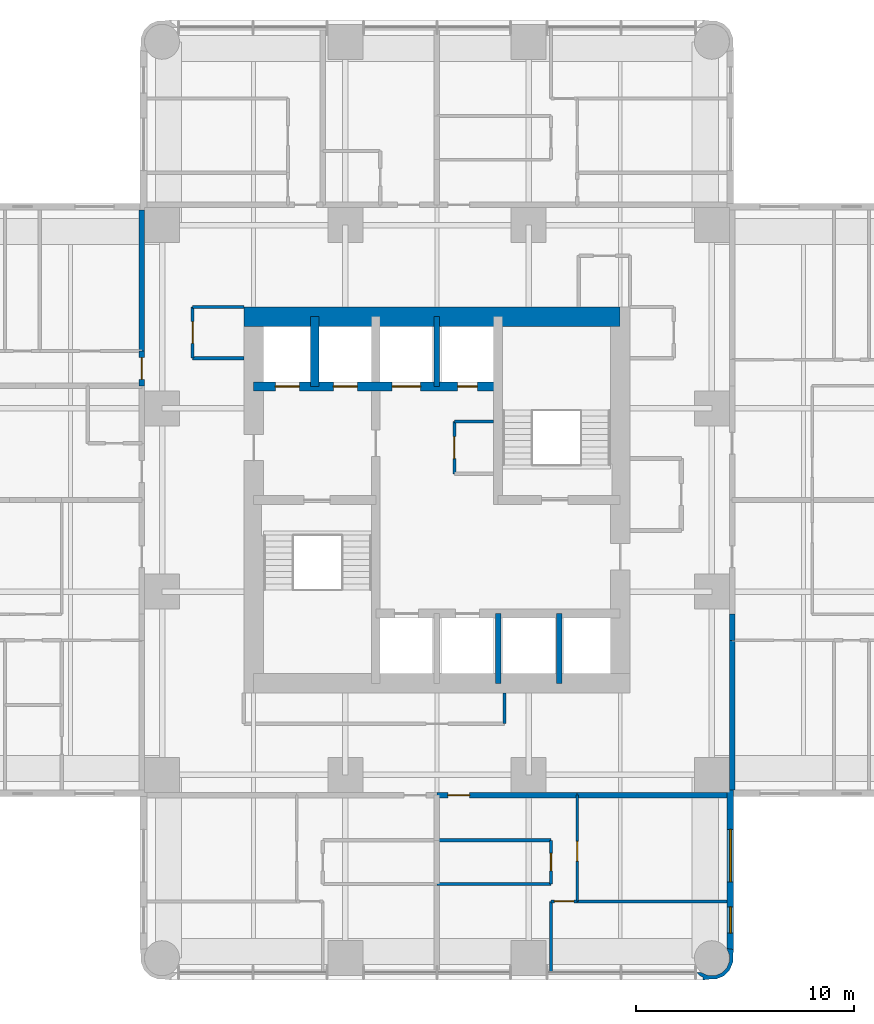
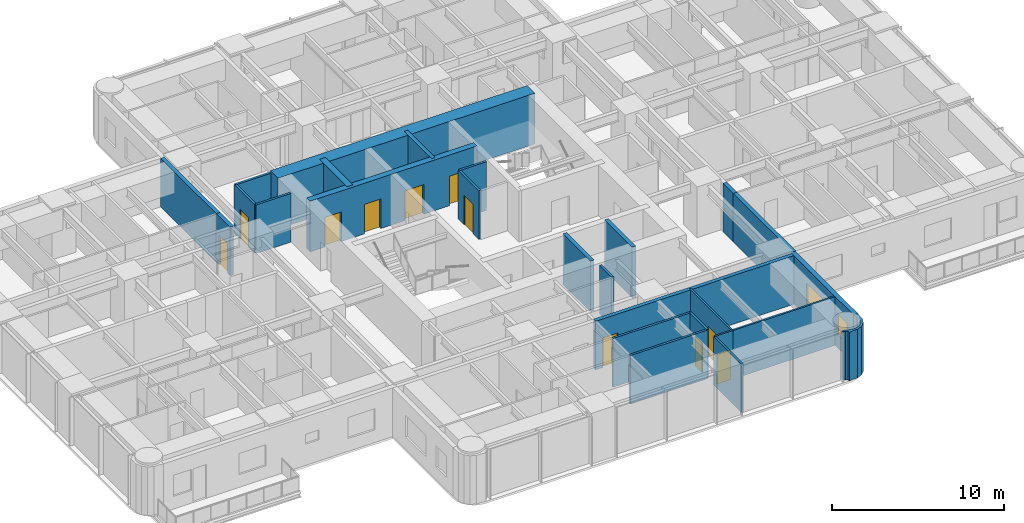
# One storey, part 8 of 14: 27 walls, 11 doors, 2 windows, 13 openings.
"""IFC4 building model written with IfcOpenShell, lengths in metres."""

from ifc_helpers import new_model, si_unit, direction, frame, frame_2d, origin, place, context, subcontext, project, spatial, polyline, rectangle, outline, extrude, material, layer, layer_set, type_object, element, fill, save


model = new_model("IFC4")

# Units and contexts
model_context = context("Model", 3, precision=1e-05, world=origin(), true_north=direction((0.0, 1.0)))
body_context = subcontext(model_context, "Body", "Model", "MODEL_VIEW")
ifc_project = project(units=[si_unit("LENGTHUNIT", "METRE"), si_unit("AREAUNIT", "SQUARE_METRE"), si_unit("VOLUMEUNIT", "CUBIC_METRE"), si_unit("PLANEANGLEUNIT", "RADIAN"), si_unit("MASSUNIT", "GRAM", prefix="KILO")], contexts=[model_context])

# Site, building, storey
site_placement = place(None, origin())
site = spatial("IfcSite", under=ifc_project, at=site_placement, CompositionType="ELEMENT")
building_placement = place(site_placement, origin())
building = spatial("IfcBuilding", under=site, at=building_placement, Name="Torre Alcanfor", CompositionType="ELEMENT")
storey_placement = place(building_placement, frame((0.0, 0.0, 134.10009765625)))
storey = spatial("IfcBuildingStorey", under=building, at=storey_placement, Name="L34", CompositionType="ELEMENT", Elevation=134.10009765625)

# Walls
ifc_material_1 = material(Name="Concrete block masonry, hollow blocks NMX-C-404 9 MPa", Category="masonry")
ifc_layer_1 = layer(ifc_material_1, 0.25)
ifc_layer_set_1 = layer_set([ifc_layer_1], Name="Apartment entrance wall 250 EI 60")
wall_type_1 = type_object("IfcWallType", Name="Apartment entrance wall 250 EI 60", PredefinedType="PARTITIONING", material=ifc_layer_set_1)
wall_1_placement = place(storey_placement, frame((42.925048828125, 24.1708984375, 0.0), z_axis=(0.0, 0.0, 1.0), x_axis=(0.0, -1.0, 0.0)))
element("IfcWall", 1, at=wall_1_placement, inside=storey, type_object=wall_type_1, Name="Partition L34-CORR / L34-E2-HALL", PredefinedType="PARTITIONING", context=body_context, shape_type="SweptSolid", body=[
    extrude(rectangle(XDim=1.199951171875, YDim=0.25, at=frame_2d((0.60009765625, 0.0))), origin(), (0.0, 0.0, 1.0), 3.449951171875),
])
wall_2_placement = place(storey_placement, frame((42.925048828125, 22.970947265625, 0.0), z_axis=(0.0, 0.0, 1.0), x_axis=(0.0, -1.0, 0.0)))
element("IfcWall", 2, at=wall_2_placement, inside=storey, type_object=wall_type_1, Name="Partition L34-CORR / L34-E2-BED3", PredefinedType="PARTITIONING", context=body_context, shape_type="SweptSolid", body=[
    extrude(rectangle(XDim=6.870849609375, YDim=0.25, at=frame_2d((3.435546875, 0.0))), origin(), (0.0, 0.0, 1.0), 3.449951171875),
])

# Wall, opening, door
wall_3_placement = place(storey_placement, frame((35.8291015625, 15.875, 0.0), z_axis=(0.0, 0.0, 1.0), x_axis=(-1.0, 0.0, 0.0)))
wall_3 = element("IfcWall", 3, at=wall_3_placement, inside=storey, type_object=wall_type_1, Name="Partition L34-CORR / L34-S1-LIVING", PredefinedType="PARTITIONING", context=body_context, shape_type="SweptSolid", body=[
    extrude(rectangle(XDim=6.42919921875, YDim=0.25, at=frame_2d((3.214599609375, 0.0))), origin(), (0.0, 0.0, 1.0), 3.449951171875),
])
opening_1_placement = place(wall_3_placement, frame((4.928955078125, 0.0, 0.0)))
opening_1 = element("IfcOpeningElement", 4, at=opening_1_placement, cuts=wall_3, Name="Opening D-A1", PredefinedType="OPENING", context=body_context, shape_type="SweptSolid", body=[
    extrude(rectangle(XDim=1.0, YDim=2.10009765625, at=frame_2d((0.5, 1.050048828125))), frame((0.0, 0.135009765625, 0.0), z_axis=(0.0, -1.0, 0.0), x_axis=(1.0, 0.0, 0.0)), (0.0, 0.0, 1.0), 0.27001953125),
])
ifc_material_2 = material(Name="Galvanised steel sheet ASTM A653", Category="steel")
door_type_1 = type_object("IfcDoorType", Name="Apartment entrance door FD60 1000x2100", OperationType="SINGLE_SWING_LEFT", PredefinedType="DOOR", material=ifc_material_2)
door_1_placement = place(opening_1_placement, origin())
door_1 = element("IfcDoor", 5, at=door_1_placement, inside=storey, type_object=door_type_1, Name="Apartment entrance L34-S1", OperationType="SINGLE_SWING_RIGHT", OverallHeight=2.10009765625, OverallWidth=1.0, PredefinedType="DOOR", context=body_context, shape_type="SweptSolid", body=[
    extrude(rectangle(XDim=1.0, YDim=2.10009765625, at=frame_2d((0.5, 1.050048828125))), frame((0.0, 0.02490234375, 0.0), z_axis=(0.0, -1.0, 0.0), x_axis=(1.0, 0.0, 0.0)), (0.0, 0.0, 1.0), 0.050048828125),
])
fill(opening_1, door_1)

# Wall
wall_4_placement = place(storey_placement, frame((42.699951171875, 15.875, 0.0), z_axis=(0.0, 0.0, 1.0), x_axis=(-1.0, 0.0, 0.0)))
element("IfcWall", 6, at=wall_4_placement, inside=storey, type_object=wall_type_1, Name="Partition L34-CORR / L34-S1-BED2", PredefinedType="PARTITIONING", context=body_context, shape_type="SweptSolid", body=[
    extrude(rectangle(XDim=6.870849609375, YDim=0.25, at=frame_2d((3.435546875, 0.0))), origin(), (0.0, 0.0, 1.0), 3.449951171875),
])

# Wall, opening, door
wall_5_placement = place(storey_placement, frame((15.875, 34.62890625, 0.0), z_axis=(0.0, 0.0, 1.0), x_axis=(0.0, 1.0, 0.0)))
wall_5 = element("IfcWall", 7, at=wall_5_placement, inside=storey, type_object=wall_type_1, Name="Partition L34-CORR / L34-W2B-HALL", PredefinedType="PARTITIONING", context=body_context, shape_type="SweptSolid", body=[
    extrude(rectangle(XDim=1.60009765625, YDim=0.25, at=frame_2d((0.800048828125, 0.0))), origin(), (0.0, 0.0, 1.0), 3.449951171875),
])
opening_2_placement = place(wall_5_placement, frame((0.300048828125, 0.0, 0.0)))
opening_2 = element("IfcOpeningElement", 8, at=opening_2_placement, cuts=wall_5, Name="Opening D-A1", PredefinedType="OPENING", context=body_context, shape_type="SweptSolid", body=[
    extrude(rectangle(XDim=1.0, YDim=2.10009765625, at=frame_2d((0.5, 1.050048828125))), frame((0.0, 0.135009765625, 0.0), z_axis=(0.0, -1.0, 0.0), x_axis=(1.0, 0.0, 0.0)), (0.0, 0.0, 1.0), 0.27001953125),
])
door_2_placement = place(opening_2_placement, origin())
door_2 = element("IfcDoor", 9, at=door_2_placement, inside=storey, type_object=door_type_1, Name="Apartment entrance L34-W2B", OperationType="SINGLE_SWING_LEFT", OverallHeight=2.10009765625, OverallWidth=1.0, PredefinedType="DOOR", context=body_context, shape_type="SweptSolid", body=[
    extrude(rectangle(XDim=1.0, YDim=2.10009765625, at=frame_2d((0.5, 1.050048828125))), frame((0.0, 0.02490234375, 0.0), z_axis=(0.0, -1.0, 0.0), x_axis=(1.0, 0.0, 0.0)), (0.0, 0.0, 1.0), 0.050048828125),
])
fill(opening_2, door_2)

# Wall
wall_6_placement = place(storey_placement, frame((15.875, 36.22900390625, 0.0), z_axis=(0.0, 0.0, 1.0), x_axis=(0.0, 1.0, 0.0)))
element("IfcWall", 10, at=wall_6_placement, inside=storey, type_object=wall_type_1, Name="Partition L34-CORR / L34-W2B-MASTER", PredefinedType="PARTITIONING", context=body_context, shape_type="SweptSolid", body=[
    extrude(rectangle(XDim=6.470947265625, YDim=0.25, at=frame_2d((3.2353515625, 0.0))), origin(), (0.0, 0.0, 1.0), 3.449951171875),
])

# Wall, opening, door
ifc_material_3 = material(Name="Gypsum board on steel studs", Category="steel")
ifc_layer_2 = layer(ifc_material_3, 0.1201171875)
ifc_layer_set_2 = layer_set([ifc_layer_2], Name="Apartment partition 120")
wall_type_2 = type_object("IfcWallType", Name="Apartment partition 120", PredefinedType="PARTITIONING", material=ifc_layer_set_2)
wall_7_placement = place(storey_placement, frame((35.8291015625, 15.875, 0.0), z_axis=(0.0, 0.0, 1.0), x_axis=(0.0, -1.0, 0.0)))
wall_7 = element("IfcWall", 11, at=wall_7_placement, inside=storey, type_object=wall_type_2, Name="Partition L34-S1-LIVING / L34-S1-BED2", PredefinedType="PARTITIONING", context=body_context, shape_type="SweptSolid", body=[
    extrude(rectangle(XDim=4.875, YDim=0.1201171875, at=frame_2d((2.4375, 0.0))), origin(), (0.0, 0.0, 1.0), 3.449951171875),
])
opening_3_placement = place(wall_7_placement, frame((2.125, 0.0, 0.0)))
opening_3 = element("IfcOpeningElement", 12, at=opening_3_placement, cuts=wall_7, Name="Opening D-R1", PredefinedType="OPENING", context=body_context, shape_type="SweptSolid", body=[
    extrude(rectangle(XDim=0.89990234375, YDim=2.10009765625, at=frame_2d((0.449951171875, 1.050048828125))), frame((0.0, 0.070068359375, 0.0), z_axis=(0.0, -1.0, 0.0), x_axis=(1.0, 0.0, 0.0)), (0.0, 0.0, 1.0), 0.14013671875),
])
ifc_material_4 = material(Name="Timber", Category="wood")
door_type_2 = type_object("IfcDoorType", Name="Internal door 900x2100", OperationType="SINGLE_SWING_LEFT", PredefinedType="DOOR", material=ifc_material_4)
door_3_placement = place(opening_3_placement, origin())
door_3 = element("IfcDoor", 13, at=door_3_placement, inside=storey, type_object=door_type_2, Name="Door L34-S1 bed2", OperationType="SINGLE_SWING_RIGHT", OverallHeight=2.10009765625, OverallWidth=0.89990234375, PredefinedType="DOOR", context=body_context, shape_type="SweptSolid", body=[
    extrude(rectangle(XDim=0.89990234375, YDim=2.10009765625, at=frame_2d((0.449951171875, 1.050048828125))), frame((0.0, 0.02490234375, 0.0), z_axis=(0.0, -1.0, 0.0), x_axis=(1.0, 0.0, 0.0)), (0.0, 0.0, 1.0), 0.050048828125),
])
fill(opening_3, door_3)

wall_8_placement = place(storey_placement, frame((35.8291015625, 11.0, 0.0), z_axis=(0.0, 0.0, 1.0), x_axis=(-1.0, 0.0, 0.0)))
wall_8 = element("IfcWall", 14, at=wall_8_placement, inside=storey, type_object=wall_type_2, Name="Partition L34-S1-LIVING / L34-S1-MASTER", PredefinedType="PARTITIONING", context=body_context, shape_type="SweptSolid", body=[
    extrude(rectangle(XDim=1.2001953125, YDim=0.1201171875, at=frame_2d((0.60009765625, 0.0))), origin(), (0.0, 0.0, 1.0), 3.449951171875),
])
opening_4_placement = place(wall_8_placement, frame((0.14892578125, 0.0, 0.0)))
opening_4 = element("IfcOpeningElement", 15, at=opening_4_placement, cuts=wall_8, Name="Opening D-R1", PredefinedType="OPENING", context=body_context, shape_type="SweptSolid", body=[
    extrude(rectangle(XDim=0.89990234375, YDim=2.10009765625, at=frame_2d((0.449951171875, 1.050048828125))), frame((0.0, 0.070068359375, 0.0), z_axis=(0.0, -1.0, 0.0), x_axis=(1.0, 0.0, 0.0)), (0.0, 0.0, 1.0), 0.14013671875),
])
door_4_placement = place(opening_4_placement, origin())
door_4 = element("IfcDoor", 16, at=door_4_placement, inside=storey, type_object=door_type_2, Name="Door L34-S1 master", OperationType="SINGLE_SWING_RIGHT", OverallHeight=2.10009765625, OverallWidth=0.89990234375, PredefinedType="DOOR", context=body_context, shape_type="SweptSolid", body=[
    extrude(rectangle(XDim=0.89990234375, YDim=2.10009765625, at=frame_2d((0.449951171875, 1.050048828125))), frame((0.0, 0.02490234375, 0.0), z_axis=(0.0, -1.0, 0.0), x_axis=(1.0, 0.0, 0.0)), (0.0, 0.0, 1.0), 0.050048828125),
])
fill(opening_4, door_4)

# Walls
wall_9_placement = place(storey_placement, frame((34.62890625, 11.0, 0.0), z_axis=(0.0, 0.0, 1.0), x_axis=(0.0, -1.0, 0.0)))
element("IfcWall", 17, at=wall_9_placement, inside=storey, type_object=wall_type_2, Name="Partition L34-S1-LIVING / L34-S1-MASTER", PredefinedType="PARTITIONING", context=body_context, shape_type="SweptSolid", body=[
    extrude(rectangle(XDim=3.25, YDim=0.1201171875, at=frame_2d((1.625, 0.0))), origin(), (0.0, 0.0, 1.0), 3.449951171875),
])
wall_10_placement = place(storey_placement, frame((35.8291015625, 11.0, 0.0), z_axis=(0.0, 0.0, 1.0), x_axis=(1.0, 0.0, 0.0)))
element("IfcWall", 18, at=wall_10_placement, inside=storey, type_object=wall_type_2, Name="Partition L34-S1-BED2 / L34-S1-MASTER", PredefinedType="PARTITIONING", context=body_context, shape_type="SweptSolid", body=[
    extrude(rectangle(XDim=6.870849609375, YDim=0.1201171875, at=frame_2d((3.435546875, 0.0))), origin(), (0.0, 0.0, 1.0), 3.449951171875),
])

# Wall, openings, doors
ifc_material_5 = material(Name="Concrete f'c 70 MPa", Category="concrete")
ifc_layer_3 = layer(ifc_material_5, 0.39990234375)
ifc_layer_set_3 = layer_set([ifc_layer_3], Name="Core inner wall 400 f'c70")
wall_type_3 = type_object("IfcWallType", Name="Core inner wall 400 f'c70", PredefinedType="SHEAR", material=ifc_layer_set_3)
wall_11_placement = place(storey_placement, frame((21.0, 34.60009765625, 0.0), z_axis=(0.0, 0.0, 1.0), x_axis=(1.0, 0.0, 0.0)))
wall_11 = element("IfcWall", 19, at=wall_11_placement, inside=storey, type_object=wall_type_3, Name="Core wall Y346 L34", PredefinedType="SHEAR", context=body_context, shape_type="SweptSolid", body=[
    extrude(rectangle(XDim=11.199951171875, YDim=0.39990234375, at=frame_2d((5.60009765625, 0.0))), origin(), (0.0, 0.0, 1.0), 3.599853515625),
])
opening_5_placement = place(wall_11_placement, frame((9.35009765625, 0.0, 0.0)))
opening_5 = element("IfcOpeningElement", 20, at=opening_5_placement, cuts=wall_11, Name="Opening D-Q1", PredefinedType="OPENING", context=body_context, shape_type="SweptSolid", body=[
    extrude(rectangle(XDim=0.89990234375, YDim=2.10009765625, at=frame_2d((0.449951171875, 1.050048828125))), frame((0.0, 0.2099609375, 0.0), z_axis=(0.0, -1.0, 0.0), x_axis=(1.0, 0.0, 0.0)), (0.0, 0.0, 1.0), 0.419921875),
])
opening_6_placement = place(wall_11_placement, frame((1.0, 0.0, 0.0)))
opening_6 = element("IfcOpeningElement", 21, at=opening_6_placement, cuts=wall_11, Name="Opening LD2", PredefinedType="OPENING", context=body_context, shape_type="SweptSolid", body=[
    extrude(rectangle(XDim=1.10009765625, YDim=2.10009765625, at=frame_2d((0.550048828125, 1.050048828125))), frame((0.0, 0.2099609375, 0.0), z_axis=(0.0, -1.0, 0.0), x_axis=(1.0, 0.0, 0.0)), (0.0, 0.0, 1.0), 0.419921875),
])
opening_7_placement = place(wall_11_placement, frame((3.64990234375, 0.0, 0.0)))
opening_7 = element("IfcOpeningElement", 22, at=opening_7_placement, cuts=wall_11, Name="Opening LD2", PredefinedType="OPENING", context=body_context, shape_type="SweptSolid", body=[
    extrude(rectangle(XDim=1.10009765625, YDim=2.10009765625, at=frame_2d((0.550048828125, 1.050048828125))), frame((0.0, 0.2099609375, 0.0), z_axis=(0.0, -1.0, 0.0), x_axis=(1.0, 0.0, 0.0)), (0.0, 0.0, 1.0), 0.419921875),
])
opening_8_placement = place(wall_11_placement, frame((6.35009765625, 0.0, 0.0)))
opening_8 = element("IfcOpeningElement", 23, at=opening_8_placement, cuts=wall_11, Name="Opening LD3", PredefinedType="OPENING", context=body_context, shape_type="SweptSolid", body=[
    extrude(rectangle(XDim=1.300048828125, YDim=2.10009765625, at=frame_2d((0.64990234375, 1.050048828125))), frame((0.0, 0.2099609375, 0.0), z_axis=(0.0, -1.0, 0.0), x_axis=(1.0, 0.0, 0.0)), (0.0, 0.0, 1.0), 0.419921875),
])
ifc_material_6 = material(Name="Galvanised steel sheet ASTM A653", Category="steel")
door_type_3 = type_object("IfcDoorType", Name="Firefighting lift landing door 1100x2100", OperationType="DOUBLE_DOOR_SLIDING", PredefinedType="DOOR", material=ifc_material_6)
door_5_placement = place(opening_6_placement, origin())
door_5 = element("IfcDoor", 24, at=door_5_placement, inside=storey, type_object=door_type_3, Name="Lift landing door FL1 L34", OperationType="DOUBLE_DOOR_SLIDING", OverallHeight=2.10009765625, OverallWidth=1.10009765625, PredefinedType="DOOR", context=body_context, shape_type="SweptSolid", body=[
    extrude(rectangle(XDim=1.10009765625, YDim=2.10009765625, at=frame_2d((0.550048828125, 1.050048828125))), frame((0.0, 0.02490234375, 0.0), z_axis=(0.0, -1.0, 0.0), x_axis=(1.0, 0.0, 0.0)), (0.0, 0.0, 1.0), 0.050048828125),
])
fill(opening_6, door_5)
door_6_placement = place(opening_7_placement, origin())
door_6 = element("IfcDoor", 25, at=door_6_placement, inside=storey, type_object=door_type_3, Name="Lift landing door FL2 L34", OperationType="DOUBLE_DOOR_SLIDING", OverallHeight=2.10009765625, OverallWidth=1.10009765625, PredefinedType="DOOR", context=body_context, shape_type="SweptSolid", body=[
    extrude(rectangle(XDim=1.10009765625, YDim=2.10009765625, at=frame_2d((0.550048828125, 1.050048828125))), frame((0.0, 0.02490234375, 0.0), z_axis=(0.0, -1.0, 0.0), x_axis=(1.0, 0.0, 0.0)), (0.0, 0.0, 1.0), 0.050048828125),
])
fill(opening_7, door_6)
ifc_material_7 = material(Name="Galvanised steel sheet ASTM A653", Category="steel")
door_type_4 = type_object("IfcDoorType", Name="Riser access door FD120 900x2100", OperationType="SINGLE_SWING_LEFT", PredefinedType="DOOR", material=ifc_material_7)
door_7_placement = place(opening_5_placement, origin())
door_7 = element("IfcDoor", 26, at=door_7_placement, inside=storey, type_object=door_type_4, Name="Riser door L34", OperationType="SINGLE_SWING_LEFT", OverallHeight=2.10009765625, OverallWidth=0.89990234375, PredefinedType="DOOR", context=body_context, shape_type="SweptSolid", body=[
    extrude(rectangle(XDim=0.89990234375, YDim=2.10009765625, at=frame_2d((0.449951171875, 1.050048828125))), frame((0.0, 0.02490234375, 0.0), z_axis=(0.0, -1.0, 0.0), x_axis=(1.0, 0.0, 0.0)), (0.0, 0.0, 1.0), 0.050048828125),
])
fill(opening_5, door_7)
ifc_material_8 = material(Name="Galvanised steel sheet ASTM A653", Category="steel")
door_type_5 = type_object("IfcDoorType", Name="Service lift landing door 1300x2100", OperationType="DOUBLE_DOOR_SLIDING", PredefinedType="DOOR", material=ifc_material_8)
door_8_placement = place(opening_8_placement, origin())
door_8 = element("IfcDoor", 27, at=door_8_placement, inside=storey, type_object=door_type_5, Name="Lift landing door SL1 L34", OperationType="DOUBLE_DOOR_SLIDING", OverallHeight=2.10009765625, OverallWidth=1.300048828125, PredefinedType="DOOR", context=body_context, shape_type="SweptSolid", body=[
    extrude(rectangle(XDim=1.300048828125, YDim=2.10009765625, at=frame_2d((0.64990234375, 1.050048828125))), frame((0.0, 0.02490234375, 0.0), z_axis=(0.0, -1.0, 0.0), x_axis=(1.0, 0.0, 0.0)), (0.0, 0.0, 1.0), 0.050048828125),
])
fill(opening_8, door_8)

# Walls
wall_12_placement = place(storey_placement, frame((23.800048828125, 34.60009765625, 0.0), z_axis=(0.0, 0.0, 1.0), x_axis=(0.0, 1.0, 0.0)))
element("IfcWall", 28, at=wall_12_placement, inside=storey, type_object=wall_type_3, Name="Core wall X238 L34", PredefinedType="SHEAR", context=body_context, shape_type="SweptSolid", body=[
    extrude(rectangle(XDim=3.199951171875, YDim=0.39990234375, at=frame_2d((1.60009765625, 0.0))), origin(), (0.0, 0.0, 1.0), 3.599853515625),
])
ifc_material_9 = material(Name="Concrete f'c 70 MPa", Category="concrete")
ifc_layer_4 = layer(ifc_material_9, 0.25)
ifc_layer_set_4 = layer_set([ifc_layer_4], Name="Core shaft wall 250 f'c70")
wall_type_4 = type_object("IfcWallType", Name="Core shaft wall 250 f'c70", PredefinedType="SHEAR", material=ifc_layer_set_4)
for number, where, z_axis, x_axis, name in (
    (29, (32.199951171875, 21.0, 0.0), (0.0, 0.0, 1.0), (0.0, 1.0, 0.0), "Core wall X322S L34"),
    (30, (35.0, 21.0, 0.0), (0.0, 0.0, 1.0), (0.0, 1.0, 0.0), "Core wall X350S L34"),
    (31, (29.39990234375, 34.60009765625, 0.0), (0.0, 0.0, 1.0), (0.0, 1.0, 0.0), "Core wall X294N L34"),
):
    element("IfcWall", number, at=place(storey_placement, frame(where, z_axis=z_axis, x_axis=x_axis)), inside=storey, type_object=wall_type_4, Name=name, PredefinedType="SHEAR", context=body_context, shape_type="SweptSolid", body=[
        extrude(rectangle(XDim=3.199951171875, YDim=0.25, at=frame_2d((1.60009765625, 0.0))), origin(), (0.0, 0.0, 1.0), 3.599853515625),
    ])
ifc_material_10 = material(Name="Concrete f'c 70 MPa", Category="concrete")
ifc_layer_5 = layer(ifc_material_10, 0.89990234375)
ifc_layer_set_5 = layer_set([ifc_layer_5], Name="Core wall 900 f'c70")
wall_type_5 = type_object("IfcWallType", Name="Core wall 900 f'c70", PredefinedType="SHEAR", material=ifc_layer_set_5)
wall_13_placement = place(storey_placement, frame((37.800048828125, 37.800048828125, 0.0), z_axis=(0.0, 0.0, 1.0), x_axis=(-1.0, 0.0, 0.0)))
element("IfcWall", 32, at=wall_13_placement, inside=storey, type_object=wall_type_5, Name="Core wall OUT-N L34", PredefinedType="SHEAR", context=body_context, shape_type="SweptSolid", body=[
    extrude(rectangle(XDim=17.25, YDim=0.89990234375, at=frame_2d((8.625, 0.0))), origin(), (0.0, 0.0, 1.0), 3.599853515625),
])

# Wall, openings, windows
ifc_material_11 = material(Name="Limestone cladding", Category="masonry")
ifc_layer_6 = layer(ifc_material_11, 0.0400390625, Name="Facing")
ifc_material_12 = material(Name="Ventilated air cavity")
ifc_layer_7 = layer(ifc_material_12, 0.02001953125, ventilated=True, Name="Ventilated joint")
ifc_material_13 = material(Name="Mineral wool insulation", Category="insulation")
ifc_layer_8 = layer(ifc_material_13, 0.10009765625, Name="Insulation")
ifc_material_14 = material(Name="Concrete f'c 35 MPa", Category="concrete")
ifc_layer_9 = layer(ifc_material_14, 0.139892578125, Name="Backing")
ifc_layer_set_6 = layer_set([ifc_layer_6, ifc_layer_7, ifc_layer_8, ifc_layer_9], Name="External wall stone-clad 300")
wall_type_6 = type_object("IfcWallType", Name="External wall stone-clad 300", PredefinedType="SOLIDWALL", material=ifc_layer_set_6)
wall_14_placement = place(storey_placement, frame((42.85009765625, 8.800048828125, 0.0), z_axis=(0.0, 0.0, 1.0), x_axis=(0.0, 1.0, 0.0)))
wall_14 = element("IfcWall", 33, at=wall_14_placement, inside=storey, type_object=wall_type_6, Name="External wall L34 6", PredefinedType="SOLIDWALL", context=body_context, shape_type="SweptSolid", body=[
    extrude(rectangle(XDim=7.300048828125, YDim=0.300048828125, at=frame_2d((3.64990234375, 0.0))), origin(), (0.0, 0.0, 1.0), 3.449951171875),
])
opening_9_placement = place(wall_14_placement, frame((3.10009765625, 0.0, 0.89990234375)))
opening_9 = element("IfcOpeningElement", 34, at=opening_9_placement, cuts=wall_14, Name="Opening W1", PredefinedType="OPENING", context=body_context, shape_type="SweptSolid", body=[
    extrude(rectangle(XDim=2.39990234375, YDim=1.5, at=frame_2d((1.199951171875, 0.75))), frame((0.0, 0.159912109375, 0.0), z_axis=(0.0, -1.0, 0.0), x_axis=(1.0, 0.0, 0.0)), (0.0, 0.0, 1.0), 0.320068359375),
])
opening_10_placement = place(wall_14_placement, frame((0.75, 0.0, 0.89990234375)))
opening_10 = element("IfcOpeningElement", 35, at=opening_10_placement, cuts=wall_14, Name="Opening W4", PredefinedType="OPENING", context=body_context, shape_type="SweptSolid", body=[
    extrude(rectangle(XDim=1.199951171875, YDim=1.5, at=frame_2d((0.60009765625, 0.75))), frame((0.0, 0.159912109375, 0.0), z_axis=(0.0, -1.0, 0.0), x_axis=(1.0, 0.0, 0.0)), (0.0, 0.0, 1.0), 0.320068359375),
])
ifc_material_15 = material(Name="Aluminium frame with clear double glazing", Category="aluminium")
window_type_1 = type_object("IfcWindowType", Name="Window bedroom 1200x1500", PartitioningType="SINGLE_PANEL", PredefinedType="WINDOW", material=ifc_material_15)
window_1_placement = place(opening_10_placement, origin())
window_1 = element("IfcWindow", 36, at=window_1_placement, inside=storey, type_object=window_type_1, Name="Window W4 L34-S1", OverallHeight=1.5, OverallWidth=1.199951171875, PartitioningType="SINGLE_PANEL", PredefinedType="WINDOW", context=body_context, shape_type="SweptSolid", body=[
    extrude(rectangle(XDim=1.199951171875, YDim=1.5, at=frame_2d((0.60009765625, 0.75))), frame((0.0, 0.030029296875, 0.0), z_axis=(0.0, -1.0, 0.0), x_axis=(1.0, 0.0, 0.0)), (0.0, 0.0, 1.0), 0.06005859375),
])
fill(opening_10, window_1)
ifc_material_16 = material(Name="Aluminium frame with clear double glazing", Category="aluminium")
window_type_2 = type_object("IfcWindowType", Name="Window bedroom 2400x1500", PartitioningType="SINGLE_PANEL", PredefinedType="WINDOW", material=ifc_material_16)
window_2_placement = place(opening_9_placement, origin())
window_2 = element("IfcWindow", 37, at=window_2_placement, inside=storey, type_object=window_type_2, Name="Window W1 L34-S1", OverallHeight=1.5, OverallWidth=2.39990234375, PartitioningType="SINGLE_PANEL", PredefinedType="WINDOW", context=body_context, shape_type="SweptSolid", body=[
    extrude(rectangle(XDim=2.39990234375, YDim=1.5, at=frame_2d((1.199951171875, 0.75))), frame((0.0, 0.030029296875, 0.0), z_axis=(0.0, -1.0, 0.0), x_axis=(1.0, 0.0, 0.0)), (0.0, 0.0, 1.0), 0.06005859375),
])
fill(opening_9, window_2)

# Walls
ifc_material_17 = material(Name="Concrete block masonry, hollow blocks NMX-C-404 9 MPa", Category="masonry")
ifc_layer_10 = layer(ifc_material_17, 0.14990234375)
ifc_layer_set_7 = layer_set([ifc_layer_10], Name="Residents' room partition 150")
wall_type_7 = type_object("IfcWallType", Name="Residents' room partition 150", PredefinedType="PARTITIONING", material=ifc_layer_set_7)
wall_15_placement = place(storey_placement, frame((32.5, 19.14990234375, 0.0), z_axis=(0.0, 0.0, 1.0), x_axis=(0.0, 1.0, 0.0)))
element("IfcWall", 38, at=wall_15_placement, inside=storey, type_object=wall_type_7, Name="Partition L34-CORR / L34-G04", PredefinedType="PARTITIONING", context=body_context, shape_type="SweptSolid", body=[
    extrude(rectangle(XDim=1.400146484375, YDim=0.14990234375, at=frame_2d((0.7001953125, 0.0))), origin(), (0.0, 0.0, 1.0), 3.449951171875),
])
wall_16_placement = place(storey_placement, frame((20.550048828125, 38.25, 0.0), z_axis=(0.0, 0.0, 1.0), x_axis=(-1.0, 0.0, 0.0)))
element("IfcWall", 39, at=wall_16_placement, inside=storey, type_object=wall_type_7, Name="Partition L34-CORR / L34-G05", PredefinedType="PARTITIONING", context=body_context, shape_type="SweptSolid", body=[
    extrude(rectangle(XDim=2.35009765625, YDim=0.14990234375, at=frame_2d((1.175048828125, 0.0))), origin(), (0.0, 0.0, 1.0), 3.449951171875),
])

# Wall, opening, door
wall_17_placement = place(storey_placement, frame((18.199951171875, 38.25, 0.0), z_axis=(0.0, 0.0, 1.0), x_axis=(0.0, -1.0, 0.0)))
wall_17 = element("IfcWall", 40, at=wall_17_placement, inside=storey, type_object=wall_type_7, Name="Partition L34-CORR / L34-G05", PredefinedType="PARTITIONING", context=body_context, shape_type="SweptSolid", body=[
    extrude(rectangle(XDim=2.35009765625, YDim=0.14990234375, at=frame_2d((1.175048828125, 0.0))), origin(), (0.0, 0.0, 1.0), 3.449951171875),
])
opening_11_placement = place(wall_17_placement, frame((0.675048828125, 0.0, 0.0)))
opening_11 = element("IfcOpeningElement", 41, at=opening_11_placement, cuts=wall_17, Name="Opening D-M1", PredefinedType="OPENING", context=body_context, shape_type="SweptSolid", body=[
    extrude(rectangle(XDim=1.0, YDim=2.10009765625, at=frame_2d((0.5, 1.050048828125))), frame((0.0, 0.0849609375, 0.0), z_axis=(0.0, -1.0, 0.0), x_axis=(1.0, 0.0, 0.0)), (0.0, 0.0, 1.0), 0.169921875),
])
ifc_material_18 = material(Name="Timber", Category="wood")
door_type_6 = type_object("IfcDoorType", Name="Residents' room door 1000x2100", OperationType="SINGLE_SWING_LEFT", PredefinedType="DOOR", material=ifc_material_18)
door_9_placement = place(opening_11_placement, origin())
door_9 = element("IfcDoor", 42, at=door_9_placement, inside=storey, type_object=door_type_6, Name="Door L34-G05 pram and buggy store", OperationType="SINGLE_SWING_LEFT", OverallHeight=2.10009765625, OverallWidth=1.0, PredefinedType="DOOR", context=body_context, shape_type="SweptSolid", body=[
    extrude(rectangle(XDim=1.0, YDim=2.10009765625, at=frame_2d((0.5, 1.050048828125))), frame((0.0, 0.02490234375, 0.0), z_axis=(0.0, -1.0, 0.0), x_axis=(1.0, 0.0, 0.0)), (0.0, 0.0, 1.0), 0.050048828125),
])
fill(opening_11, door_9)

# Wall
wall_18_placement = place(storey_placement, frame((18.199951171875, 35.89990234375, 0.0), z_axis=(0.0, 0.0, 1.0), x_axis=(1.0, 0.0, 0.0)))
element("IfcWall", 43, at=wall_18_placement, inside=storey, type_object=wall_type_7, Name="Partition L34-CORR / L34-G05", PredefinedType="PARTITIONING", context=body_context, shape_type="SweptSolid", body=[
    extrude(rectangle(XDim=2.35009765625, YDim=0.14990234375, at=frame_2d((1.175048828125, 0.0))), origin(), (0.0, 0.0, 1.0), 3.449951171875),
])

# Wall, opening, door
wall_19_placement = place(storey_placement, frame((30.199951171875, 30.60009765625, 0.0), z_axis=(0.0, 0.0, 1.0), x_axis=(0.0, 1.0, 0.0)))
wall_19 = element("IfcWall", 44, at=wall_19_placement, inside=storey, type_object=wall_type_7, Name="Partition L34-LL / L34-CR1", PredefinedType="PARTITIONING", context=body_context, shape_type="SweptSolid", body=[
    extrude(rectangle(XDim=2.39990234375, YDim=0.14990234375, at=frame_2d((1.199951171875, 0.0))), origin(), (0.0, 0.0, 1.0), 3.449951171875),
])
opening_12_placement = place(wall_19_placement, frame((0.699951171875, 0.0, 0.0)))
opening_12 = element("IfcOpeningElement", 45, at=opening_12_placement, cuts=wall_19, Name="Opening D-M1", PredefinedType="OPENING", context=body_context, shape_type="SweptSolid", body=[
    extrude(rectangle(XDim=1.0, YDim=2.10009765625, at=frame_2d((0.5, 1.050048828125))), frame((0.0, 0.0849609375, 0.0), z_axis=(0.0, -1.0, 0.0), x_axis=(1.0, 0.0, 0.0)), (0.0, 0.0, 1.0), 0.169921875),
])
door_10_placement = place(opening_12_placement, frame((1.0, 0.0, 0.0), z_axis=(0.0, 0.0, 1.0), x_axis=(-1.0, 0.0, 0.0)))
door_10 = element("IfcDoor", 46, at=door_10_placement, inside=storey, type_object=door_type_6, Name="Vending and ice room door L34", OperationType="SINGLE_SWING_RIGHT", OverallHeight=2.10009765625, OverallWidth=1.0, PredefinedType="DOOR", context=body_context, shape_type="SweptSolid", body=[
    extrude(rectangle(XDim=1.0, YDim=2.10009765625, at=frame_2d((0.5, 1.050048828125))), frame((0.0, 0.025146484375, 0.0), z_axis=(0.0, -1.0, 0.0), x_axis=(1.0, 0.0, 0.0)), (0.0, 0.0, 1.0), 0.050048828125),
])
fill(opening_12, door_10)

# Walls
wall_20_placement = place(storey_placement, frame((30.199951171875, 33.0, 0.0), z_axis=(0.0, 0.0, 1.0), x_axis=(1.0, 0.0, 0.0)))
element("IfcWall", 47, at=wall_20_placement, inside=storey, type_object=wall_type_7, Name="Partition L34-LL / L34-CR1", PredefinedType="PARTITIONING", context=body_context, shape_type="SweptSolid", body=[
    extrude(rectangle(XDim=1.800048828125, YDim=0.14990234375, at=frame_2d((0.89990234375, 0.0))), origin(), (0.0, 0.0, 1.0), 3.449951171875),
])
ifc_layer_11 = layer(ifc_material_11, 0.0400390625, Name="Facing")
ifc_layer_12 = layer(ifc_material_12, 0.02001953125, ventilated=True, Name="Ventilated joint")
ifc_layer_13 = layer(ifc_material_13, 0.10009765625, Name="Insulation")
ifc_layer_14 = layer(ifc_material_14, 0.139892578125, Name="Backing")
ifc_layer_set_8 = layer_set([ifc_layer_11, ifc_layer_12, ifc_layer_13, ifc_layer_14], Name="Rounded corner pier stone-clad 300")
wall_type_8 = type_object("IfcWallType", Name="Rounded corner pier stone-clad 300", PredefinedType="SOLIDWALL", material=ifc_layer_set_8)
wall_21_placement = place(storey_placement, frame((41.351928198, 7.804682488, 0.0), z_axis=(0.0, 0.0, 1.0), x_axis=(0.343276641956, -0.93923434088, 0.0)))
element("IfcWall", 48, at=wall_21_placement, inside=storey, type_object=wall_type_8, Name="Corner pier L34 16", PredefinedType="SOLIDWALL", context=body_context, shape_type="SweptSolid", body=[
    extrude(outline(polyline([(-0.3691376945080963, 1.8896116474277462), (-0.5092849006082865, 1.6213723434863179), (-0.4904818693699753, 1.614500106025285), (-0.47937395557818696, 1.6086207727425919), (-0.21134604487110653, 1.620093396259431), (0.08789731812884549, 1.5107242513003132), (0.3226193813038204, 1.29522875171589), (0.4568297522668325, 1.0059961170728082), (0.47018090116819644, 0.6876338955306306), (0.3608955639829935, 0.3886198377896824), (0.14540006439857034, 0.15389777461470747), (0.10805580570731482, 0.136354268630141), (0.030952653705484567, -0.07460656965335008), (0.24105149879401783, 0.023022242841209073), (0.33345144333490195, 0.12363819812835387), (0.46537419024986754, 0.09413770889727405), (0.5320249985235461, 0.39313792602006), (0.6305829406476248, 0.6628009106085226), (0.6143313238115743, 1.0443478664441104), (0.4534111053034037, 1.390650880852334), (0.17226586261802523, 1.6491069643028293), (-0.09739712197043726, 1.7476649064269079), (-0.3691376945080963, 1.8896116474277462)])), origin(), (0.0, 0.0, 1.0), 3.449951171875),
])
ifc_material_19 = material(Name="Cement board on steel studs", Category="steel")
ifc_layer_15 = layer(ifc_material_19, 0.14990234375)
ifc_layer_set_9 = layer_set([ifc_layer_15], Name="Wet area partition 150")
wall_type_9 = type_object("IfcWallType", Name="Wet area partition 150", PredefinedType="PARTITIONING", material=ifc_layer_set_9)
wall_22_placement = place(storey_placement, frame((29.39990234375, 11.800048828125, 0.0), z_axis=(0.0, 0.0, 1.0), x_axis=(1.0, 0.0, 0.0)))
element("IfcWall", 49, at=wall_22_placement, inside=storey, type_object=wall_type_9, Name="Partition L34-S1-BATH / L34-S1-LIVING", PredefinedType="PARTITIONING", context=body_context, shape_type="SweptSolid", body=[
    extrude(rectangle(XDim=5.22900390625, YDim=0.14990234375, at=frame_2d((2.614501953125, 0.0))), origin(), (0.0, 0.0, 1.0), 3.449951171875),
])

# Wall, opening, door
wall_23_placement = place(storey_placement, frame((34.62890625, 11.800048828125, 0.0), z_axis=(0.0, 0.0, 1.0), x_axis=(0.0, 1.0, 0.0)))
wall_23 = element("IfcWall", 50, at=wall_23_placement, inside=storey, type_object=wall_type_9, Name="Partition L34-S1-BATH / L34-S1-LIVING", PredefinedType="PARTITIONING", context=body_context, shape_type="SweptSolid", body=[
    extrude(rectangle(XDim=2.0, YDim=0.14990234375, at=frame_2d((1.0, 0.0))), origin(), (0.0, 0.0, 1.0), 3.449951171875),
])
opening_13_placement = place(wall_23_placement, frame((0.60009765625, 0.0, 0.0)))
opening_13 = element("IfcOpeningElement", 51, at=opening_13_placement, cuts=wall_23, Name="Opening D-R2", PredefinedType="OPENING", context=body_context, shape_type="SweptSolid", body=[
    extrude(rectangle(XDim=0.800048828125, YDim=2.10009765625, at=frame_2d((0.39990234375, 1.050048828125))), frame((0.0, 0.0849609375, 0.0), z_axis=(0.0, -1.0, 0.0), x_axis=(1.0, 0.0, 0.0)), (0.0, 0.0, 1.0), 0.169921875),
])
ifc_material_20 = material(Name="Timber", Category="wood")
door_type_7 = type_object("IfcDoorType", Name="Bathroom door 800x2100", OperationType="SINGLE_SWING_LEFT", PredefinedType="DOOR", material=ifc_material_20)
door_11_placement = place(opening_13_placement, origin())
door_11 = element("IfcDoor", 52, at=door_11_placement, inside=storey, type_object=door_type_7, Name="Door L34-S1 bath", OperationType="SINGLE_SWING_LEFT", OverallHeight=2.10009765625, OverallWidth=0.800048828125, PredefinedType="DOOR", context=body_context, shape_type="SweptSolid", body=[
    extrude(rectangle(XDim=0.800048828125, YDim=2.10009765625, at=frame_2d((0.39990234375, 1.050048828125))), frame((0.0, 0.02490234375, 0.0), z_axis=(0.0, -1.0, 0.0), x_axis=(1.0, 0.0, 0.0)), (0.0, 0.0, 1.0), 0.050048828125),
])
fill(opening_13, door_11)

# Wall
wall_24_placement = place(storey_placement, frame((34.62890625, 13.800048828125, 0.0), z_axis=(0.0, 0.0, 1.0), x_axis=(-1.0, 0.0, 0.0)))
element("IfcWall", 53, at=wall_24_placement, inside=storey, type_object=wall_type_9, Name="Partition L34-S1-BATH / L34-S1-LIVING", PredefinedType="PARTITIONING", context=body_context, shape_type="SweptSolid", body=[
    extrude(rectangle(XDim=5.22900390625, YDim=0.14990234375, at=frame_2d((2.614501953125, 0.0))), origin(), (0.0, 0.0, 1.0), 3.449951171875),
])

save(model, "model.ifc")
